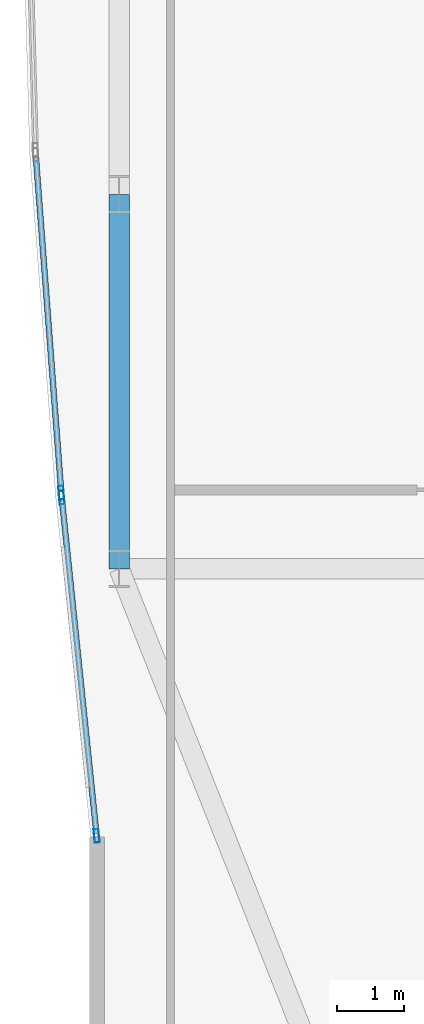
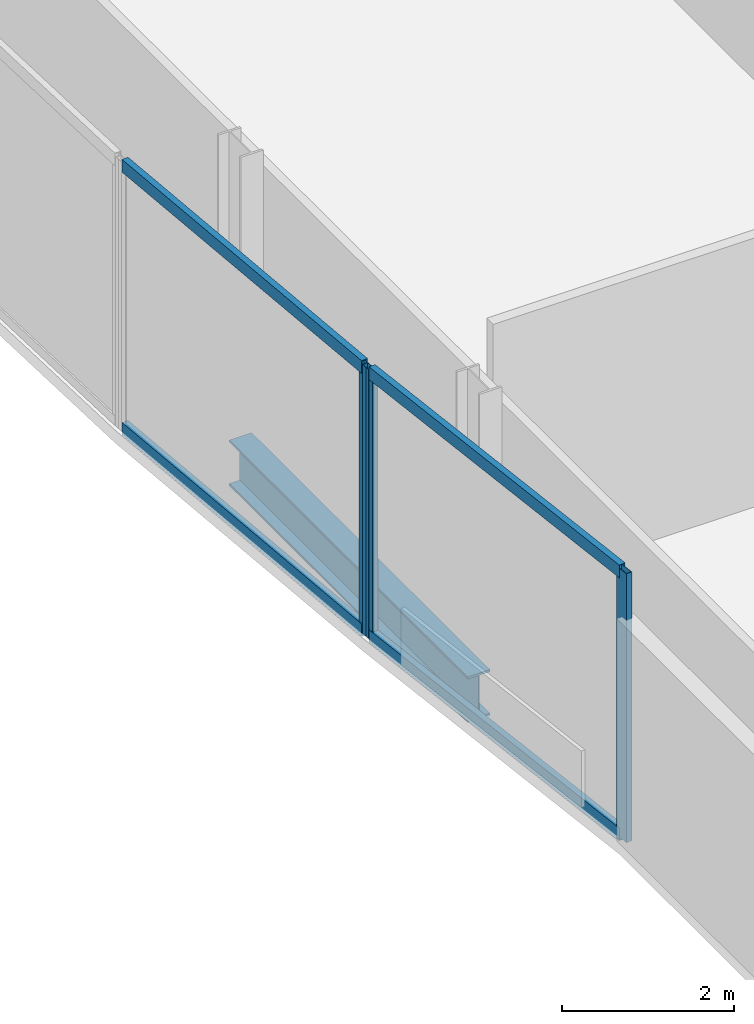
# One storey, part 6 of 33: 7 members, 1 beam, 2 elements without a shape of their own.
"""IFC4 building model written with IfcOpenShell, lengths in metres."""

from ifc_helpers import new_model, si_unit, direction, frame, origin, origin_2d, place, context, subcontext, project, spatial, hollow_rectangle, i_section, extrude, material, material_profile, profile_set, type_object, element, aggregate, save


model = new_model("IFC4")

# Units and contexts
model_context = context("Model", 3, precision=1e-05, world=origin(), true_north=direction((0.0, 1.0)))
body_context = subcontext(model_context, "Body", "Model", "MODEL_VIEW")
ifc_project = project(units=[si_unit("LENGTHUNIT", "METRE"), si_unit("AREAUNIT", "SQUARE_METRE"), si_unit("VOLUMEUNIT", "CUBIC_METRE"), si_unit("PLANEANGLEUNIT", "RADIAN"), si_unit("MASSUNIT", "GRAM", prefix="KILO")], contexts=[model_context])

# Site, building, storey
site_placement = place(None, origin())
site = spatial("IfcSite", under=ifc_project, at=site_placement, CompositionType="ELEMENT")
building_placement = place(site_placement, origin())
building = spatial("IfcBuilding", under=site, at=building_placement, Name="Khoronbel Lancet Exchange", CompositionType="ELEMENT")
storey_placement = place(building_placement, frame((0.0, 0.0, 33.800048828125)))
storey = spatial("IfcBuildingStorey", under=building, at=storey_placement, Name="L07", CompositionType="ELEMENT", Elevation=33.800048828125)

# Beam
ifc_material_1 = material(Name="Steel S355", Category="steel")
ifc_material_profile_1 = material_profile(ifc_material_1, i_section(OverallWidth=0.300048828125, OverallDepth=0.64990234375, WebThickness=0.01611328125, FlangeThickness=0.031005859375, at=origin_2d()), Name="HEB 650")
ifc_profile_set_1 = profile_set([ifc_material_profile_1], Name="Steel S355")
beam_type = type_object("IfcBeamType", Name="BM-BSP1", PredefinedType="SPANDREL", material=ifc_profile_set_1)
beam_placement = place(storey_placement, frame((1.27001953125, 24.75, -0.505126953125), z_axis=(0.0, -1.0, 0.0), x_axis=(1.0, 0.0, 0.0)))
element("IfcBeam", 1, at=beam_placement, inside=storey, type_object=beam_type, Name="Level L07 perimeter spandrel beam SP20", PredefinedType="SPANDREL", context=body_context, shape_type="SweptSolid", body=[
    extrude(i_section(OverallWidth=0.300048828125, OverallDepth=0.64990234375, WebThickness=0.01611328125, FlangeThickness=0.031005859375, at=origin_2d()), origin(), (0.0, 0.0, 1.0), 5.550048828125),
])

# Curtain wall, members
ifc_material_2 = material(Name="Low-E Solar Control Insulating Glass", Category="glass")
curtain_wall_type = type_object("IfcCurtainWallType", Name="CW-4", PredefinedType="NOTDEFINED", material=ifc_material_2)
curtain_wall_1_placement = place(storey_placement, origin())
curtain_wall_1 = element("IfcCurtainWall", 2, at=curtain_wall_1_placement, inside=storey, type_object=curtain_wall_type, Name="Unitised curtain wall CW-L07-E04", PredefinedType="NOTDEFINED")
ifc_material_3 = material(Name="Bronze-Anodised Aluminium 6063-T6", Category="aluminium")
ifc_material_profile_2 = material_profile(ifc_material_3, hollow_rectangle(XDim=0.074951171875, YDim=0.199951171875, WallThickness=0.0048828125, at=origin_2d()), Name="ALU MULLION 75x200")
ifc_profile_set_2 = profile_set([ifc_material_profile_2], Name="Bronze-Anodised Aluminium 6063-T6")
member_type_1 = type_object("IfcMemberType", Name="MEM-CWM2", PredefinedType="MULLION", material=ifc_profile_set_2)
member_1_placement = place(storey_placement, frame((0.93603515625, 15.241943359375, 0.0), z_axis=(0.0, 0.0, 1.0), x_axis=(-0.994709998998, -0.102723015403, 0.0)))
member_1 = element("IfcMember", 3, at=member_1_placement, type_object=member_type_1, Name="CW4 mullion 1", PredefinedType="MULLION", context=body_context, shape_type="SweptSolid", body=[
    extrude(hollow_rectangle(XDim=0.074951171875, YDim=0.199951171875, WallThickness=0.0048828125, at=origin_2d()), origin(), (0.0, 0.0, 1.0), 3.820068359375),
])
member_2_placement = place(storey_placement, frame((0.41845703125, 20.25390625, 0.0), z_axis=(0.0, 0.0, 1.0), x_axis=(-0.994709998998, -0.102723015403, 0.0)))
member_2 = element("IfcMember", 4, at=member_2_placement, type_object=member_type_1, Name="CW4 mullion 2", PredefinedType="MULLION", context=body_context, shape_type="SweptSolid", body=[
    extrude(hollow_rectangle(XDim=0.074951171875, YDim=0.199951171875, WallThickness=0.0048828125, at=origin_2d()), origin(), (0.0, 0.0, 1.0), 3.820068359375),
])

# Curtain wall, member
curtain_wall_2_placement = place(storey_placement, origin())
curtain_wall_2 = element("IfcCurtainWall", 5, at=curtain_wall_2_placement, inside=storey, type_object=curtain_wall_type, Name="Unitised curtain wall CW-L07-E05", PredefinedType="NOTDEFINED")
member_3_placement = place(storey_placement, frame((0.411865234375, 20.32861328125, 0.0), z_axis=(0.0, 0.0, 1.0), x_axis=(-0.997153744129, -0.075395030141, 0.0)))
member_3 = element("IfcMember", 6, at=member_3_placement, type_object=member_type_1, Name="CW4 mullion 1", PredefinedType="MULLION", context=body_context, shape_type="SweptSolid", body=[
    extrude(hollow_rectangle(XDim=0.074951171875, YDim=0.199951171875, WallThickness=0.0048828125, at=origin_2d()), origin(), (0.0, 0.0, 1.0), 3.820068359375),
])

# Member
ifc_material_profile_3 = material_profile(ifc_material_3, hollow_rectangle(XDim=0.0849609375, YDim=0.179931640625, WallThickness=0.0048828125, at=origin_2d()), Name="ALU TRANSOM 85x180")
ifc_profile_set_3 = profile_set([ifc_material_profile_3], Name="Bronze-Anodised Aluminium 6063-T6")
member_type_2 = type_object("IfcMemberType", Name="MEM-CWT1", PredefinedType="USERDEFINED", material=ifc_profile_set_3)
member_4_placement = place(storey_placement, frame((0.932373046875, 15.279296875, 0.04248046875), z_axis=(-0.102746446428, 0.994707579013, 0.0), x_axis=(-0.994707579013, -0.102746446428, 0.0)))
member_4 = element("IfcMember", 7, at=member_4_placement, type_object=member_type_2, Name="CW4 transom 1.1", ObjectType="TRANSOM", PredefinedType="USERDEFINED", context=body_context, shape_type="SweptSolid", body=[
    extrude(hollow_rectangle(XDim=0.0849609375, YDim=0.179931640625, WallThickness=0.0048828125, at=origin_2d()), origin(), (0.0, 0.0, 1.0), 4.9638671875),
])

member_5_placement = place(storey_placement, frame((0.932373046875, 15.279296875, 3.77734375), z_axis=(-0.102746446428, 0.994707579013, 0.0), x_axis=(-0.994707579013, -0.102746446428, 0.0)))
member_5 = element("IfcMember", 8, at=member_5_placement, type_object=member_type_2, Name="CW4 transom 1.2", ObjectType="TRANSOM", PredefinedType="USERDEFINED", context=body_context, shape_type="SweptSolid", body=[
    extrude(hollow_rectangle(XDim=0.0849609375, YDim=0.179931640625, WallThickness=0.0048828125, at=origin_2d()), origin(), (0.0, 0.0, 1.0), 4.9638671875),
])

aggregate(curtain_wall_1, [member_1, member_2, member_4, member_5])

member_6_placement = place(storey_placement, frame((0.408935546875, 20.365966796875, 0.04248046875), z_axis=(-0.07539383567, 0.997153834442, 0.0), x_axis=(-0.997153834442, -0.07539383567, 0.0)))
member_6 = element("IfcMember", 9, at=member_6_placement, type_object=member_type_2, Name="CW4 transom 1.1", ObjectType="TRANSOM", PredefinedType="USERDEFINED", context=body_context, shape_type="SweptSolid", body=[
    extrude(hollow_rectangle(XDim=0.0849609375, YDim=0.179931640625, WallThickness=0.0048828125, at=origin_2d()), origin(), (0.0, 0.0, 1.0), 4.94482421875),
])

member_7_placement = place(storey_placement, frame((0.408935546875, 20.365966796875, 3.77734375), z_axis=(-0.07539383567, 0.997153834442, 0.0), x_axis=(-0.997153834442, -0.07539383567, 0.0)))
member_7 = element("IfcMember", 10, at=member_7_placement, type_object=member_type_2, Name="CW4 transom 1.2", ObjectType="TRANSOM", PredefinedType="USERDEFINED", context=body_context, shape_type="SweptSolid", body=[
    extrude(hollow_rectangle(XDim=0.0849609375, YDim=0.179931640625, WallThickness=0.0048828125, at=origin_2d()), origin(), (0.0, 0.0, 1.0), 4.94482421875),
])

aggregate(curtain_wall_2, [member_3, member_6, member_7])

save(model, "model.ifc")
